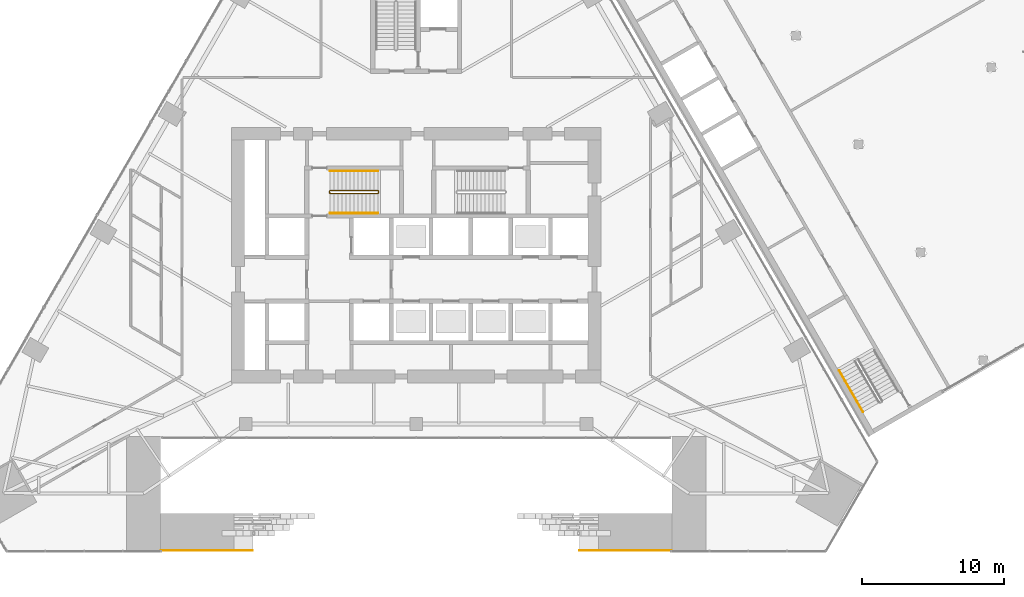
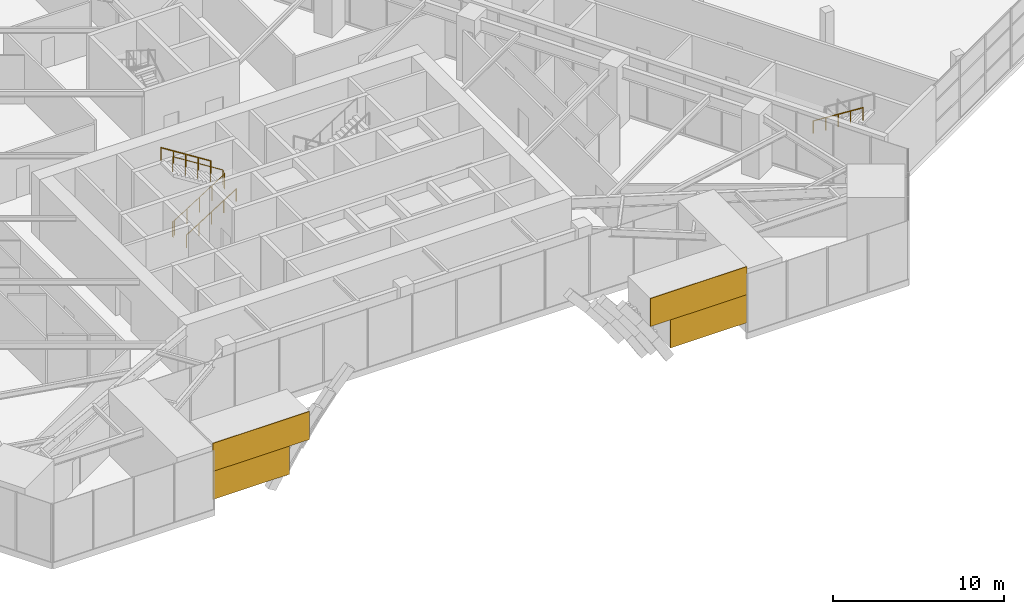
# One storey, part 23 of 29: 4 coverings, 4 railings.
"""IFC4 building model written with IfcOpenShell, lengths in metres."""

from ifc_helpers import new_model, si_unit, direction, frame, origin, origin_2d, place, context, subcontext, project, spatial, polyline, circle, outline, extrude, material, layer, layer_set, type_object, element, save


model = new_model("IFC4")

# Units and contexts
model_context = context("Model", 3, precision=1e-05, world=origin(), true_north=direction((0.0, 1.0)))
body_context = subcontext(model_context, "Body", "Model", "MODEL_VIEW")
ifc_project = project(units=[si_unit("LENGTHUNIT", "METRE"), si_unit("AREAUNIT", "SQUARE_METRE"), si_unit("VOLUMEUNIT", "CUBIC_METRE"), si_unit("PLANEANGLEUNIT", "RADIAN"), si_unit("MASSUNIT", "GRAM", prefix="KILO")], contexts=[model_context])

# Site, building, storey
site_placement = place(None, origin())
site = spatial("IfcSite", under=ifc_project, at=site_placement, CompositionType="ELEMENT")
building_placement = place(site_placement, origin())
building = spatial("IfcBuilding", under=site, at=building_placement, Name="Firuza Gate Tower and Library", CompositionType="ELEMENT")
storey_placement = place(building_placement, frame((0.0, 0.0, 17.199951171875)))
storey = spatial("IfcBuildingStorey", under=building, at=storey_placement, Name="L03", CompositionType="ELEMENT", Elevation=17.199951171875)

# Coverings
ifc_material_1 = material(Name="Glazed ceramic tile")
ifc_layer = layer(ifc_material_1, 0.0400390625)
ifc_layer_set = layer_set([ifc_layer], Name="Glazed tile cladding 40")
covering_type = type_object("IfcCoveringType", Name="Glazed tile cladding 40", PredefinedType="CLADDING", material=ifc_layer_set)
for number, where, z_axis, x_axis, name in (
    (1, (57.0, 54.17529296875, 0.800048828125), (0.0, -1.0, 0.0), (1.0, 0.0, 0.0), "Gate tile 17"),
    (2, (87.83447265625, 54.17529296875, 0.800048828125), (0.0, -1.0, 0.0), (1.0, 0.0, 0.0), "Gate tile 18"),
):
    element("IfcCovering", number, at=place(storey_placement, frame(where, z_axis=z_axis, x_axis=x_axis)), inside=storey, type_object=covering_type, Name=name, PredefinedType="CLADDING", context=body_context, shape_type="SweptSolid", body=[
        extrude(outline(polyline([(0.0, 0.0), (5.16552734375, 0.0), (5.16552734375, 2.0), (0.0, 2.0), (0.0, 0.0)])), origin(), (0.0, 0.0, -1.0), 0.0400390625),
    ])
for number, where, z_axis, x_axis, name in (
    (3, (57.0, 54.17529296875, 2.800048828125), (0.0, -1.0, 0.0), (1.0, 0.0, 0.0), "Gate tile 19"),
    (4, (86.491943359375, 54.17529296875, 2.800048828125), (0.0, -1.0, 0.0), (1.0, 0.0, 0.0), "Gate tile 20"),
):
    element("IfcCovering", number, at=place(storey_placement, frame(where, z_axis=z_axis, x_axis=x_axis)), inside=storey, type_object=covering_type, Name=name, PredefinedType="CLADDING", context=body_context, shape_type="SweptSolid", body=[
        extrude(outline(polyline([(0.0, 0.0), (6.508056640625, 0.0), (6.508056640625, 2.0), (0.0, 2.0), (0.0, 0.0)])), origin(), (0.0, 0.0, -1.0), 0.0400390625),
    ])

# Railings
ifc_material_2 = material(Name="Steel S355", Category="steel")
railing_type_1 = type_object("IfcRailingType", Name="LIB HANDRAIL", PredefinedType="HANDRAIL", material=ifc_material_2)
railing_1_placement = place(storey_placement, frame((104.792724609375, 66.86669921875, 2.47705078125)))
element("IfcRailing", 5, at=railing_1_placement, inside=storey, type_object=railing_type_1, Name="L03 LIB-ST-B stair handrail 2", PredefinedType="HANDRAIL", context=body_context, shape_type="SweptSolid", body=[
    extrude(circle(Radius=0.02392578125, at=origin_2d()), frame((0.0, 0.0, 0.8759765625), z_axis=(0.422671638265, -0.732135337376, 0.534159652137), x_axis=(0.866039179741, 0.499976138585, 0.0)), (0.0, 0.0, 1.0), 3.974609375),
    extrude(circle(Radius=0.02099609375, at=origin_2d()), origin(), (0.0, 0.0, 1.0), 0.851806640625),
    extrude(circle(Radius=0.02099609375, at=origin_2d()), frame((0.419921875, -0.7275390625, 0.53076171875)), (0.0, 0.0, 1.0), 0.851806640625),
    extrude(circle(Radius=0.02099609375, at=origin_2d()), frame((0.83984375, -1.455078125, 1.0615234375)), (0.0, 0.0, 1.0), 0.851806640625),
    extrude(circle(Radius=0.02099609375, at=origin_2d()), frame((1.260009765625, -2.182373046875, 1.59228515625)), (0.0, 0.0, 1.0), 0.851806640625),
    extrude(circle(Radius=0.02099609375, at=origin_2d()), frame((1.679931640625, -2.909912109375, 2.123046875)), (0.0, 0.0, 1.0), 0.851806640625),
])
ifc_material_3 = material(Name="Steel S355", Category="steel")
railing_type_2 = type_object("IfcRailingType", Name="Stair guard 1100", PredefinedType="GUARDRAIL", material=ifc_material_3)
railing_2_placement = place(storey_placement, frame((68.889892578125, 79.389892578125, 0.0)))
element("IfcRailing", 6, at=railing_2_placement, inside=storey, type_object=railing_type_2, Name="L03 ST1 stair guard 1", PredefinedType="GUARDRAIL", context=body_context, shape_type="SweptSolid", body=[
    extrude(circle(Radius=0.02392578125, at=origin_2d()), frame((0.0, 0.0, 1.076171875), z_axis=(0.0, 1.0, 0.0), x_axis=(-1.0, 0.0, 0.0)), (0.0, 0.0, 1.0), 0.10009765625),
    extrude(circle(Radius=0.02392578125, at=origin_2d()), frame((0.0, 0.10009765625, 1.076171875), z_axis=(0.210920754441, -0.631733381593, 0.74593925351), x_axis=(0.948528701346, 0.316691178788, 0.0)), (0.0, 0.0, 1.0), 0.2373046875),
    extrude(circle(Radius=0.02392578125, at=origin_2d()), frame((0.050048828125, -0.0498046875, 1.2529296875), z_axis=(0.845389635667, 0.0, 0.534150132366), x_axis=(0.0, 1.0, 0.0)), (0.0, 0.0, 1.0), 3.974609375),
    extrude(circle(Radius=0.02392578125, at=origin_2d()), frame((3.41015625, -0.0498046875, 3.3759765625), z_axis=(0.708833529934, 0.705375805398, 0.0), x_axis=(-0.705375805398, 0.708833529934, 0.0)), (0.0, 0.0, 1.0), 0.070556640625),
    extrude(circle(Radius=0.02392578125, at=origin_2d()), frame((3.460205078125, 0.0, 3.3759765625), z_axis=(0.0, 1.0, 0.0), x_axis=(-1.0, 0.0, 0.0)), (0.0, 0.0, 1.0), 0.10009765625),
    extrude(circle(Radius=0.02392578125, at=origin_2d()), frame((3.460205078125, 0.10009765625, 3.3759765625), z_axis=(-0.262545553595, 0.262545553595, 0.928514762713), x_axis=(-0.707106781187, -0.707106781187, 0.0)), (0.0, 0.0, 1.0), 0.190673828125),
    extrude(circle(Radius=0.02392578125, at=origin_2d()), frame((3.41015625, 0.150146484375, 3.55322265625), z_axis=(-0.845389635667, 0.0, 0.534150132366), x_axis=(0.0, -1.0, 0.0)), (0.0, 0.0, 1.0), 3.974609375),
    extrude(circle(Radius=0.02099609375, at=origin_2d()), origin(), (0.0, 0.0, 1.0), 1.052001953125),
    extrude(circle(Radius=0.02099609375, at=origin_2d()), frame((0.0, 0.10009765625, 0.0)), (0.0, 0.0, 1.0), 1.052001953125),
    extrude(circle(Radius=0.02099609375, at=origin_2d()), frame((0.050048828125, -0.0498046875, 0.177001953125)), (0.0, 0.0, 1.0), 1.052001953125),
    extrude(circle(Radius=0.02099609375, at=origin_2d()), frame((0.89013671875, -0.0498046875, 0.707763671875)), (0.0, 0.0, 1.0), 1.052001953125),
    extrude(circle(Radius=0.02099609375, at=origin_2d()), frame((1.72998046875, -0.0498046875, 1.238525390625)), (0.0, 0.0, 1.0), 1.052001953125),
    extrude(circle(Radius=0.02099609375, at=origin_2d()), frame((2.570068359375, -0.0498046875, 1.769287109375)), (0.0, 0.0, 1.0), 1.052001953125),
    extrude(circle(Radius=0.02099609375, at=origin_2d()), frame((3.41015625, -0.0498046875, 2.300048828125)), (0.0, 0.0, 1.0), 1.052001953125),
    extrude(circle(Radius=0.02099609375, at=origin_2d()), frame((3.460205078125, 0.0, 2.300048828125)), (0.0, 0.0, 1.0), 1.052001953125),
    extrude(circle(Radius=0.02099609375, at=origin_2d()), frame((3.460205078125, 0.10009765625, 2.300048828125)), (0.0, 0.0, 1.0), 1.052001953125),
    extrude(circle(Radius=0.02099609375, at=origin_2d()), frame((3.41015625, 0.150146484375, 2.47705078125)), (0.0, 0.0, 1.0), 1.052001953125),
    extrude(circle(Radius=0.02099609375, at=origin_2d()), frame((2.570068359375, 0.150146484375, 3.0078125)), (0.0, 0.0, 1.0), 1.052001953125),
    extrude(circle(Radius=0.02099609375, at=origin_2d()), frame((1.72998046875, 0.150146484375, 3.53857421875)), (0.0, 0.0, 1.0), 1.052001953125),
    extrude(circle(Radius=0.02099609375, at=origin_2d()), frame((0.89013671875, 0.150146484375, 4.0693359375)), (0.0, 0.0, 1.0), 1.052001953125),
    extrude(circle(Radius=0.02099609375, at=origin_2d()), frame((0.050048828125, 0.150146484375, 4.60009765625)), (0.0, 0.0, 1.0), 1.052001953125),
])
ifc_material_4 = material(Name="Steel S355", Category="steel")
railing_type_3 = type_object("IfcRailingType", Name="Stair handrail 900", PredefinedType="HANDRAIL", material=ifc_material_4)
railing_3_placement = place(storey_placement, frame((68.93994140625, 77.949951171875, 0.177001953125)))
element("IfcRailing", 7, at=railing_3_placement, inside=storey, type_object=railing_type_3, Name="L03 ST1 stair handrail 1", PredefinedType="HANDRAIL", context=body_context, shape_type="SweptSolid", body=[
    extrude(circle(Radius=0.02392578125, at=origin_2d()), frame((0.0, 0.0, 0.8759765625), z_axis=(0.845389635667, 0.0, 0.534150132366), x_axis=(0.0, 1.0, 0.0)), (0.0, 0.0, 1.0), 3.974609375),
    extrude(circle(Radius=0.02099609375, at=origin_2d()), origin(), (0.0, 0.0, 1.0), 0.851806640625),
    extrude(circle(Radius=0.02099609375, at=origin_2d()), frame((0.840087890625, 0.0, 0.53076171875)), (0.0, 0.0, 1.0), 0.851806640625),
    extrude(circle(Radius=0.02099609375, at=origin_2d()), frame((1.68017578125, 0.0, 1.0615234375)), (0.0, 0.0, 1.0), 0.851806640625),
    extrude(circle(Radius=0.02099609375, at=origin_2d()), frame((2.52001953125, 0.0, 1.59228515625)), (0.0, 0.0, 1.0), 0.851806640625),
    extrude(circle(Radius=0.02099609375, at=origin_2d()), frame((3.360107421875, 0.0, 2.123046875)), (0.0, 0.0, 1.0), 0.851806640625),
])
railing_4_placement = place(storey_placement, frame((72.300048828125, 80.929931640625, 2.47705078125)))
element("IfcRailing", 8, at=railing_4_placement, inside=storey, type_object=railing_type_3, Name="L03 ST1 stair handrail 2", PredefinedType="HANDRAIL", context=body_context, shape_type="SweptSolid", body=[
    extrude(circle(Radius=0.02392578125, at=origin_2d()), frame((0.0, 0.0, 0.8759765625), z_axis=(-0.845389635667, 0.0, 0.534150132366), x_axis=(0.0, -1.0, 0.0)), (0.0, 0.0, 1.0), 3.974609375),
    extrude(circle(Radius=0.02099609375, at=origin_2d()), origin(), (0.0, 0.0, 1.0), 0.851806640625),
    extrude(circle(Radius=0.02099609375, at=origin_2d()), frame((-0.840087890625, 0.0, 0.53076171875)), (0.0, 0.0, 1.0), 0.851806640625),
    extrude(circle(Radius=0.02099609375, at=origin_2d()), frame((-1.68017578125, 0.0, 1.0615234375)), (0.0, 0.0, 1.0), 0.851806640625),
    extrude(circle(Radius=0.02099609375, at=origin_2d()), frame((-2.52001953125, 0.0, 1.59228515625)), (0.0, 0.0, 1.0), 0.851806640625),
    extrude(circle(Radius=0.02099609375, at=origin_2d()), frame((-3.360107421875, 0.0, 2.123046875)), (0.0, 0.0, 1.0), 0.851806640625),
])

save(model, "model.ifc")
